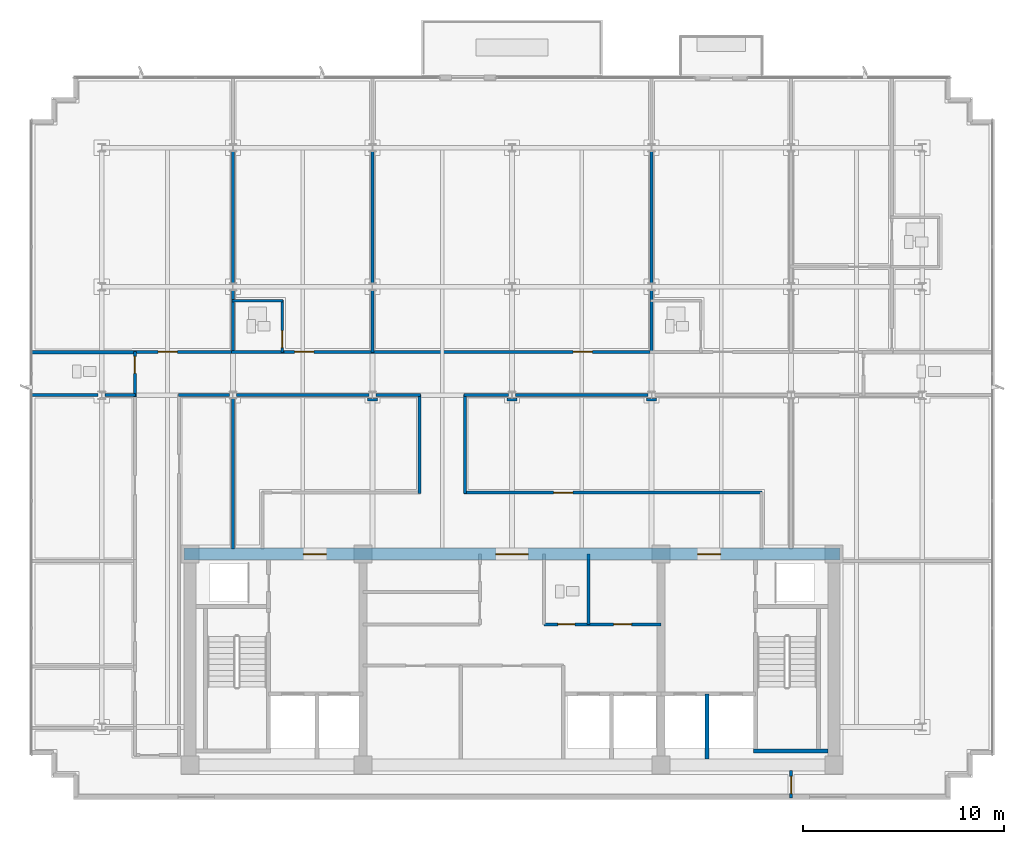
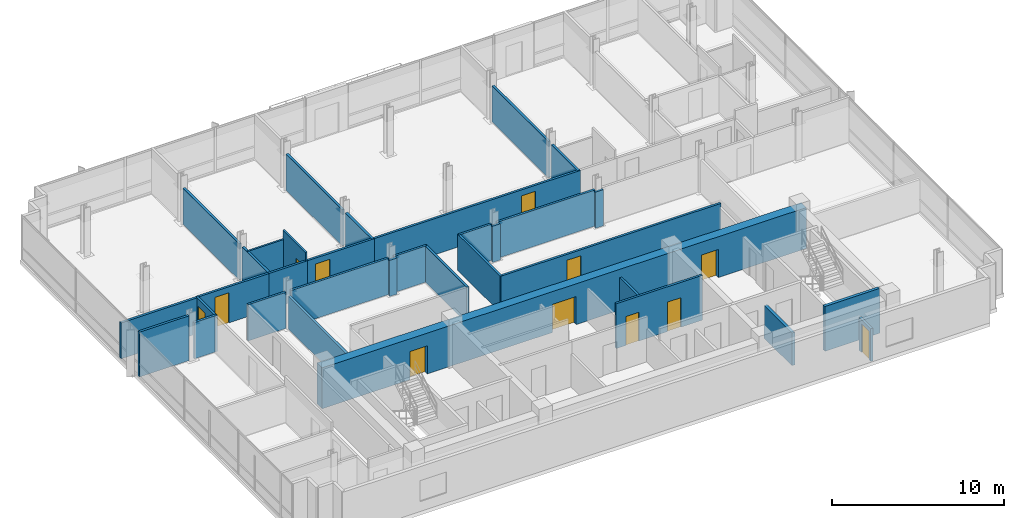
# One storey, part 12 of 19: 34 walls, 12 doors, 12 openings.
"""IFC4 building model written with IfcOpenShell, lengths in metres."""

from ifc_helpers import new_model, si_unit, direction, frame, frame_2d, origin, place, context, subcontext, project, spatial, rectangle, extrude, material, layer, layer_set, type_object, element, fill, save


model = new_model("IFC4")

# Units and contexts
model_context = context("Model", 3, precision=1e-05, world=origin(), true_north=direction((0.0, 1.0)))
body_context = subcontext(model_context, "Body", "Model", "MODEL_VIEW")
ifc_project = project(units=[si_unit("LENGTHUNIT", "METRE"), si_unit("AREAUNIT", "SQUARE_METRE"), si_unit("VOLUMEUNIT", "CUBIC_METRE"), si_unit("PLANEANGLEUNIT", "RADIAN"), si_unit("MASSUNIT", "GRAM", prefix="KILO")], contexts=[model_context])

# Site, building, storey
site_placement = place(None, origin())
site = spatial("IfcSite", under=ifc_project, at=site_placement, CompositionType="ELEMENT")
building_placement = place(site_placement, origin())
building = spatial("IfcBuilding", under=site, at=building_placement, Name="Solmavex Isthmus Hotel", CompositionType="ELEMENT")
storey_placement = place(building_placement, frame((0.0, 0.0, 262.64990234375)))
storey = spatial("IfcBuildingStorey", under=building, at=storey_placement, Name="L71", CompositionType="ELEMENT", Elevation=262.64990234375)

# Walls
ifc_material_1 = material(Name="Gypsum plasterboard lining", Category="gypsum")
ifc_layer_1 = layer(ifc_material_1, 0.159912109375)
ifc_layer_set_1 = layer_set([ifc_layer_1], Name="Gypsum plasterboard lining")
wall_type_1 = type_object("IfcWallType", Name="IW-COMP-160", PredefinedType="PARTITIONING", material=ifc_layer_set_1)
wall_1_placement = place(storey_placement, frame((-13.8720703125, 10.613037109375, 0.0), z_axis=(0.0, 0.0, 1.0), x_axis=(0.0, -1.0, 0.0)))
element("IfcWall", 1, at=wall_1_placement, inside=storey, type_object=wall_type_1, Name="Interior Partition Wall W-L71-P033", PredefinedType="PARTITIONING", context=body_context, shape_type="SweptSolid", body=[
    extrude(rectangle(XDim=3.10302734375, YDim=0.159912109375, at=frame_2d((1.551513671875, 0.0))), origin(), (0.0, 0.0, 1.0), 2.572509765625),
])
wall_2_placement = place(storey_placement, frame((-13.8720703125, 17.52490234375, 0.0), z_axis=(0.0, 0.0, 1.0), x_axis=(0.0, -1.0, 0.0)))
element("IfcWall", 2, at=wall_2_placement, inside=storey, type_object=wall_type_1, Name="Interior Partition Wall W-L71-P034", PredefinedType="PARTITIONING", context=body_context, shape_type="SweptSolid", body=[
    extrude(rectangle(XDim=6.56201171875, YDim=0.159912109375, at=frame_2d((3.281005859375, 0.0))), origin(), (0.0, 0.0, 1.0), 2.572509765625),
])
wall_3_placement = place(storey_placement, frame((-18.7099609375, 7.530029296875, 0.0), z_axis=(0.0, 0.0, 1.0), x_axis=(-1.0, 0.0, 0.0)))
element("IfcWall", 3, at=wall_3_placement, inside=storey, type_object=wall_type_1, Name="Interior Partition Wall W-L71-P036", PredefinedType="PARTITIONING", context=body_context, shape_type="SweptSolid", body=[
    extrude(rectangle(XDim=5.2099609375, YDim=0.159912109375, at=frame_2d((2.60498046875, 0.0))), origin(), (0.0, 0.0, 1.0), 2.5576171875),
])
wall_4_placement = place(storey_placement, frame((-6.93603515625, 10.613037109375, 0.0), z_axis=(0.0, 0.0, 1.0), x_axis=(0.0, -1.0, 0.0)))
element("IfcWall", 4, at=wall_4_placement, inside=storey, type_object=wall_type_1, Name="Interior Partition Wall W-L71-P039", PredefinedType="PARTITIONING", context=body_context, shape_type="SweptSolid", body=[
    extrude(rectangle(XDim=3.10302734375, YDim=0.159912109375, at=frame_2d((1.551513671875, 0.0))), origin(), (0.0, 0.0, 1.0), 2.572509765625),
])
wall_5_placement = place(storey_placement, frame((-6.93603515625, 17.52490234375, 0.0), z_axis=(0.0, 0.0, 1.0), x_axis=(0.0, -1.0, 0.0)))
element("IfcWall", 5, at=wall_5_placement, inside=storey, type_object=wall_type_1, Name="Interior Partition Wall W-L71-P040", PredefinedType="PARTITIONING", context=body_context, shape_type="SweptSolid", body=[
    extrude(rectangle(XDim=6.56201171875, YDim=0.159912109375, at=frame_2d((3.281005859375, 0.0))), origin(), (0.0, 0.0, 1.0), 2.572509765625),
])
wall_6_placement = place(storey_placement, frame((6.93603515625, 10.613037109375, 0.0), z_axis=(0.0, 0.0, 1.0), x_axis=(0.0, -1.0, 0.0)))
element("IfcWall", 6, at=wall_6_placement, inside=storey, type_object=wall_type_1, Name="Interior Partition Wall W-L71-P042", PredefinedType="PARTITIONING", context=body_context, shape_type="SweptSolid", body=[
    extrude(rectangle(XDim=3.10302734375, YDim=0.159912109375, at=frame_2d((1.551513671875, 0.0))), origin(), (0.0, 0.0, 1.0), 2.572509765625),
])
wall_7_placement = place(storey_placement, frame((6.93603515625, 17.52490234375, 0.0), z_axis=(0.0, 0.0, 1.0), x_axis=(0.0, -1.0, 0.0)))
element("IfcWall", 7, at=wall_7_placement, inside=storey, type_object=wall_type_1, Name="Interior Partition Wall W-L71-P043", PredefinedType="PARTITIONING", context=body_context, shape_type="SweptSolid", body=[
    extrude(rectangle(XDim=6.56201171875, YDim=0.159912109375, at=frame_2d((3.281005859375, 0.0))), origin(), (0.0, 0.0, 1.0), 2.572509765625),
])
wall_8_placement = place(storey_placement, frame((-20.574951171875, 5.39990234375, 0.0), z_axis=(0.0, 0.0, 1.0), x_axis=(-1.0, 0.0, 0.0)))
element("IfcWall", 8, at=wall_8_placement, inside=storey, type_object=wall_type_1, Name="Interior Partition Wall W-L71-P059", PredefinedType="PARTITIONING", context=body_context, shape_type="SweptSolid", body=[
    extrude(rectangle(XDim=3.344970703125, YDim=0.159912109375, at=frame_2d((1.67236328125, 0.0))), origin(), (0.0, 0.0, 1.0), 3.190185546875),
])
wall_9_placement = place(storey_placement, frame((-18.7099609375, 5.39990234375, 0.0), z_axis=(0.0, 0.0, 1.0), x_axis=(-1.0, 0.0, 0.0)))
element("IfcWall", 9, at=wall_9_placement, inside=storey, type_object=wall_type_1, Name="Interior Partition Wall W-L71-P060", PredefinedType="PARTITIONING", context=body_context, shape_type="SweptSolid", body=[
    extrude(rectangle(XDim=1.51513671875, YDim=0.159912109375, at=frame_2d((0.757568359375, 0.0))), origin(), (0.0, 0.0, 1.0), 2.572509765625),
])
wall_10_placement = place(storey_placement, frame((-13.8720703125, 5.22509765625, 0.0), z_axis=(0.0, 0.0, 1.0), x_axis=(0.0, -1.0, 0.0)))
element("IfcWall", 10, at=wall_10_placement, inside=storey, type_object=wall_type_1, Name="Interior Partition Wall W-L71-P066", PredefinedType="PARTITIONING", context=body_context, shape_type="SweptSolid", body=[
    extrude(rectangle(XDim=7.465087890625, YDim=0.159912109375, at=frame_2d((3.732421875, 0.0))), origin(), (0.0, 0.0, 1.0), 2.3251953125),
])

# Wall, opening, door
wall_11_placement = place(storey_placement, frame((13.8720703125, -13.260009765625, 0.0), z_axis=(0.0, 0.0, 1.0), x_axis=(0.0, -1.0, 0.0)))
wall_11 = element("IfcWall", 11, at=wall_11_placement, inside=storey, type_object=wall_type_1, Name="Interior Partition Wall W-L71-P068", PredefinedType="PARTITIONING", context=body_context, shape_type="SweptSolid", body=[
    extrude(rectangle(XDim=1.360107421875, YDim=0.159912109375, at=frame_2d((0.68017578125, 0.0))), origin(), (0.0, 0.0, 1.0), 2.3251953125),
])
opening_1_placement = place(wall_11_placement, frame((0.300048828125, 0.0, 0.0)))
opening_1 = element("IfcOpeningElement", 12, at=opening_1_placement, cuts=wall_11, Name="Opening ID-R085", PredefinedType="OPENING", context=body_context, shape_type="SweptSolid", body=[
    extrude(rectangle(XDim=0.85009765625, YDim=2.050048828125, at=frame_2d((0.425048828125, 1.02490234375))), frame((0.0, 0.08984375, 0.0), z_axis=(0.0, -1.0, 0.0), x_axis=(1.0, 0.0, 0.0)), (0.0, 0.0, 1.0), 0.179931640625),
])
ifc_material_2 = material(Name="Steel ASTM A500 Grade C", Category="steel")
door_type_1 = type_object("IfcDoorType", Name="IDR-FD60-0850", OperationType="NOTDEFINED", PredefinedType="DOOR", material=ifc_material_2)
door_1_placement = place(opening_1_placement, frame((0.85009765625, 0.0, 0.0), z_axis=(0.0, 0.0, 1.0), x_axis=(-1.0, 0.0, 0.0)))
door_1 = element("IfcDoor", 13, at=door_1_placement, inside=storey, type_object=door_type_1, Name="Corporate Briefing Office Door L71-21", OperationType="SINGLE_SWING_LEFT", OverallHeight=2.050048828125, OverallWidth=0.85009765625, PredefinedType="DOOR", context=body_context, shape_type="SweptSolid", body=[
    extrude(rectangle(XDim=0.85009765625, YDim=2.050048828125, at=frame_2d((0.425048828125, 1.02490234375))), frame((0.0, 0.02490234375, 0.0), z_axis=(0.0, -1.0, 0.0), x_axis=(1.0, 0.0, 0.0)), (0.0, 0.0, 1.0), 0.050048828125),
])
fill(opening_1, door_1)

# Wall, openings, doors
ifc_layer_2 = layer(ifc_material_1, 0.14990234375)
ifc_layer_set_2 = layer_set([ifc_layer_2], Name="Gypsum plasterboard lining")
wall_type_2 = type_object("IfcWallType", Name="IW-CORR-150", PredefinedType="PARTITIONING", material=ifc_layer_set_2)
wall_12_placement = place(storey_placement, frame((1.60009765625, -6.0, 0.0), z_axis=(0.0, 0.0, 1.0), x_axis=(1.0, 0.0, 0.0)))
wall_12 = element("IfcWall", 14, at=wall_12_placement, inside=storey, type_object=wall_type_2, Name="Interior Partition Wall W-L71-BOH-ES", PredefinedType="PARTITIONING", context=body_context, shape_type="SweptSolid", body=[
    extrude(rectangle(XDim=5.7998046875, YDim=0.14990234375, at=frame_2d((2.89990234375, 0.0))), origin(), (0.0, 0.0, 1.0), 3.190185546875),
])
opening_2_placement = place(wall_12_placement, frame((0.675048828125, 0.0, 0.0)))
opening_2 = element("IfcOpeningElement", 15, at=opening_2_placement, cuts=wall_12, Name="Opening ID-R085", PredefinedType="OPENING", context=body_context, shape_type="SweptSolid", body=[
    extrude(rectangle(XDim=0.85009765625, YDim=2.050048828125, at=frame_2d((0.425048828125, 1.02490234375))), frame((0.0, 0.0849609375, 0.0), z_axis=(0.0, -1.0, 0.0), x_axis=(1.0, 0.0, 0.0)), (0.0, 0.0, 1.0), 0.169921875),
])
opening_3_placement = place(wall_12_placement, frame((3.449951171875, 0.0, 0.0)))
opening_3 = element("IfcOpeningElement", 16, at=opening_3_placement, cuts=wall_12, Name="Opening ID-C090", PredefinedType="OPENING", context=body_context, shape_type="SweptSolid", body=[
    extrude(rectangle(XDim=0.89990234375, YDim=2.10009765625, at=frame_2d((0.449951171875, 1.050048828125))), frame((0.0, 0.0849609375, 0.0), z_axis=(0.0, -1.0, 0.0), x_axis=(1.0, 0.0, 0.0)), (0.0, 0.0, 1.0), 0.169921875),
])
door_2_placement = place(opening_2_placement, frame((0.85009765625, 0.0, 0.0), z_axis=(0.0, 0.0, 1.0), x_axis=(-1.0, 0.0, 0.0)))
door_2 = element("IfcDoor", 17, at=door_2_placement, inside=storey, type_object=door_type_1, Name="Staff WC Door L71", OperationType="SINGLE_SWING_LEFT", OverallHeight=2.050048828125, OverallWidth=0.85009765625, PredefinedType="DOOR", context=body_context, shape_type="SweptSolid", body=[
    extrude(rectangle(XDim=0.85009765625, YDim=2.050048828125, at=frame_2d((0.425048828125, 1.02490234375))), frame((0.0, 0.02490234375, 0.0), z_axis=(0.0, -1.0, 0.0), x_axis=(1.0, 0.0, 0.0)), (0.0, 0.0, 1.0), 0.050048828125),
])
fill(opening_2, door_2)
ifc_material_3 = material(Name="Hardwood timber", Category="wood")
door_type_2 = type_object("IfcDoorType", Name="IDR-FD60-0900", OperationType="NOTDEFINED", PredefinedType="DOOR", material=ifc_material_3)
door_3_placement = place(opening_3_placement, frame((0.89990234375, 0.0, 0.0), z_axis=(0.0, 0.0, 1.0), x_axis=(-1.0, 0.0, 0.0)))
door_3 = element("IfcDoor", 18, at=door_3_placement, inside=storey, type_object=door_type_2, Name="Room Service Door L71", OperationType="SINGLE_SWING_RIGHT", OverallHeight=2.10009765625, OverallWidth=0.89990234375, PredefinedType="DOOR", context=body_context, shape_type="SweptSolid", body=[
    extrude(rectangle(XDim=0.89990234375, YDim=2.10009765625, at=frame_2d((0.449951171875, 1.050048828125))), frame((0.0, 0.02490234375, 0.0), z_axis=(0.0, -1.0, 0.0), x_axis=(1.0, 0.0, 0.0)), (0.0, 0.0, 1.0), 0.050048828125),
])
fill(opening_3, door_3)

# Wall, opening, door
wall_13_placement = place(storey_placement, frame((-18.7900390625, 7.550048828125, 0.0), z_axis=(0.0, 0.0, 1.0), x_axis=(1.0, 0.0, 0.0)))
wall_13 = element("IfcWall", 19, at=wall_13_placement, inside=storey, type_object=wall_type_2, Name="Interior Partition Wall W-L71-P001", PredefinedType="PARTITIONING", context=body_context, shape_type="SweptSolid", body=[
    extrude(rectangle(XDim=5.0, YDim=0.14990234375, at=frame_2d((2.5, 0.0))), origin(), (0.0, 0.0, 1.0), 2.572509765625),
])
opening_4_placement = place(wall_13_placement, frame((1.198486328125, 0.0, 0.0)))
opening_4 = element("IfcOpeningElement", 20, at=opening_4_placement, cuts=wall_13, Name="Opening ID-C095", PredefinedType="OPENING", context=body_context, shape_type="SweptSolid", body=[
    extrude(rectangle(XDim=0.949951171875, YDim=2.14990234375, at=frame_2d((0.47509765625, 1.074951171875))), frame((0.0, 0.0849609375, 0.0), z_axis=(0.0, -1.0, 0.0), x_axis=(1.0, 0.0, 0.0)), (0.0, 0.0, 1.0), 0.169921875),
])
door_type_3 = type_object("IfcDoorType", Name="IDR-FD60-0950", OperationType="NOTDEFINED", PredefinedType="DOOR", material=ifc_material_3)
door_4_placement = place(opening_4_placement, origin())
door_4 = element("IfcDoor", 21, at=door_4_placement, inside=storey, type_object=door_type_3, Name="Executive Hospitality Lounge Door L71-01", OperationType="SINGLE_SWING_LEFT", OverallHeight=2.14990234375, OverallWidth=0.949951171875, PredefinedType="DOOR", context=body_context, shape_type="SweptSolid", body=[
    extrude(rectangle(XDim=0.949951171875, YDim=2.14990234375, at=frame_2d((0.47509765625, 1.074951171875))), frame((0.0, 0.02490234375, 0.0), z_axis=(0.0, -1.0, 0.0), x_axis=(1.0, 0.0, 0.0)), (0.0, 0.0, 1.0), 0.050048828125),
])
fill(opening_4, door_4)

wall_14_placement = place(storey_placement, frame((-11.50390625, 7.550048828125, 0.0), z_axis=(0.0, 0.0, 1.0), x_axis=(1.0, 0.0, 0.0)))
wall_14 = element("IfcWall", 22, at=wall_14_placement, inside=storey, type_object=wall_type_2, Name="Interior Partition Wall W-L71-P002", PredefinedType="PARTITIONING", context=body_context, shape_type="SweptSolid", body=[
    extrude(rectangle(XDim=4.64990234375, YDim=0.14990234375, at=frame_2d((2.324951171875, 0.0))), origin(), (0.0, 0.0, 1.0), 2.572509765625),
])
opening_5_placement = place(wall_14_placement, frame((0.698486328125, 0.0, 0.0)))
opening_5 = element("IfcOpeningElement", 23, at=opening_5_placement, cuts=wall_14, Name="Opening ID-C095", PredefinedType="OPENING", context=body_context, shape_type="SweptSolid", body=[
    extrude(rectangle(XDim=0.949951171875, YDim=2.14990234375, at=frame_2d((0.47509765625, 1.074951171875))), frame((0.0, 0.0849609375, 0.0), z_axis=(0.0, -1.0, 0.0), x_axis=(1.0, 0.0, 0.0)), (0.0, 0.0, 1.0), 0.169921875),
])
door_5_placement = place(opening_5_placement, origin())
door_5 = element("IfcDoor", 24, at=door_5_placement, inside=storey, type_object=door_type_3, Name="Ambassador Suite Door L71-02", OperationType="SINGLE_SWING_RIGHT", OverallHeight=2.14990234375, OverallWidth=0.949951171875, PredefinedType="DOOR", context=body_context, shape_type="SweptSolid", body=[
    extrude(rectangle(XDim=0.949951171875, YDim=2.14990234375, at=frame_2d((0.47509765625, 1.074951171875))), frame((0.0, 0.02490234375, 0.0), z_axis=(0.0, -1.0, 0.0), x_axis=(1.0, 0.0, 0.0)), (0.0, 0.0, 1.0), 0.050048828125),
])
fill(opening_5, door_5)

# Wall
wall_15_placement = place(storey_placement, frame((-13.9541015625, 7.550048828125, 0.0), z_axis=(0.0, 0.0, 1.0), x_axis=(1.0, 0.0, 0.0)))
element("IfcWall", 25, at=wall_15_placement, inside=storey, type_object=wall_type_2, Name="Interior Partition Wall W-L71-P003", PredefinedType="PARTITIONING", context=body_context, shape_type="SweptSolid", body=[
    extrude(rectangle(XDim=2.614013671875, YDim=0.14990234375, at=frame_2d((1.30712890625, 0.0))), origin(), (0.0, 0.0, 1.0), 2.572509765625),
])

# Wall, opening, door
wall_16_placement = place(storey_placement, frame((-7.01806640625, 7.550048828125, 0.0), z_axis=(0.0, 0.0, 1.0), x_axis=(1.0, 0.0, 0.0)))
wall_16 = element("IfcWall", 26, at=wall_16_placement, inside=storey, type_object=wall_type_2, Name="Interior Partition Wall W-L71-P004", PredefinedType="PARTITIONING", context=body_context, shape_type="SweptSolid", body=[
    extrude(rectangle(XDim=14.0361328125, YDim=0.14990234375, at=frame_2d((7.01806640625, 0.0))), origin(), (0.0, 0.0, 1.0), 2.572509765625),
])
opening_6_placement = place(wall_16_placement, frame((10.059814453125, 0.0, 0.0)))
opening_6 = element("IfcOpeningElement", 27, at=opening_6_placement, cuts=wall_16, Name="Opening ID-C095", PredefinedType="OPENING", context=body_context, shape_type="SweptSolid", body=[
    extrude(rectangle(XDim=0.949951171875, YDim=2.14990234375, at=frame_2d((0.47509765625, 1.074951171875))), frame((0.0, 0.0849609375, 0.0), z_axis=(0.0, -1.0, 0.0), x_axis=(1.0, 0.0, 0.0)), (0.0, 0.0, 1.0), 0.169921875),
])
door_6_placement = place(opening_6_placement, origin())
door_6 = element("IfcDoor", 28, at=door_6_placement, inside=storey, type_object=door_type_3, Name="Corporate Briefing Office Door L71-04", OperationType="SINGLE_SWING_RIGHT", OverallHeight=2.14990234375, OverallWidth=0.949951171875, PredefinedType="DOOR", context=body_context, shape_type="SweptSolid", body=[
    extrude(rectangle(XDim=0.949951171875, YDim=2.14990234375, at=frame_2d((0.47509765625, 1.074951171875))), frame((0.0, 0.02490234375, 0.0), z_axis=(0.0, -1.0, 0.0), x_axis=(1.0, 0.0, 0.0)), (0.0, 0.0, 1.0), 0.050048828125),
])
fill(opening_6, door_6)

wall_17_placement = place(storey_placement, frame((-18.75, 5.318115234375, 0.0), z_axis=(0.0, 0.0, 1.0), x_axis=(0.0, 1.0, 0.0)))
wall_17 = element("IfcWall", 29, at=wall_17_placement, inside=storey, type_object=wall_type_2, Name="Interior Partition Wall W-L71-P008", PredefinedType="PARTITIONING", context=body_context, shape_type="SweptSolid", body=[
    extrude(rectangle(XDim=2.251953125, YDim=0.14990234375, at=frame_2d((1.1259765625, 0.0))), origin(), (0.0, 0.0, 1.0), 2.572509765625),
])
opening_7_placement = place(wall_17_placement, frame((1.156982421875, 0.0, 0.0)))
opening_7 = element("IfcOpeningElement", 30, at=opening_7_placement, cuts=wall_17, Name="Opening ID-R085", PredefinedType="OPENING", context=body_context, shape_type="SweptSolid", body=[
    extrude(rectangle(XDim=0.85009765625, YDim=2.050048828125, at=frame_2d((0.425048828125, 1.02490234375))), frame((0.0, 0.0849609375, 0.0), z_axis=(0.0, -1.0, 0.0), x_axis=(1.0, 0.0, 0.0)), (0.0, 0.0, 1.0), 0.169921875),
])
door_7_placement = place(opening_7_placement, frame((0.85009765625, 0.0, 0.0), z_axis=(0.0, 0.0, 1.0), x_axis=(-1.0, 0.0, 0.0)))
door_7 = element("IfcDoor", 31, at=door_7_placement, inside=storey, type_object=door_type_1, Name="Accessible Public Restroom WC Door L71-11", OperationType="SINGLE_SWING_LEFT", OverallHeight=2.050048828125, OverallWidth=0.85009765625, PredefinedType="DOOR", context=body_context, shape_type="SweptSolid", body=[
    extrude(rectangle(XDim=0.85009765625, YDim=2.050048828125, at=frame_2d((0.425048828125, 1.02490234375))), frame((0.0, 0.02490234375, 0.0), z_axis=(0.0, -1.0, 0.0), x_axis=(1.0, 0.0, 0.0)), (0.0, 0.0, 1.0), 0.050048828125),
])
fill(opening_7, door_7)

# Walls
wall_18_placement = place(storey_placement, frame((-14.047119140625, 5.39990234375, 0.0), z_axis=(0.0, 0.0, 1.0), x_axis=(-1.0, 0.0, 0.0)))
element("IfcWall", 32, at=wall_18_placement, inside=storey, type_object=wall_type_2, Name="Interior Partition Wall W-L71-P011", PredefinedType="PARTITIONING", context=body_context, shape_type="SweptSolid", body=[
    extrude(rectangle(XDim=2.54296875, YDim=0.14990234375, at=frame_2d((1.271484375, 0.0))), origin(), (0.0, 0.0, 1.0), 2.572509765625),
])
wall_19_placement = place(storey_placement, frame((-4.587890625, 0.510009765625, 0.0), z_axis=(0.0, 0.0, 1.0), x_axis=(0.0, 1.0, 0.0)))
element("IfcWall", 33, at=wall_19_placement, inside=storey, type_object=wall_type_2, Name="Interior Partition Wall W-L71-P017", PredefinedType="PARTITIONING", context=body_context, shape_type="SweptSolid", body=[
    extrude(rectangle(XDim=4.929931640625, YDim=0.14990234375, at=frame_2d((2.46484375, 0.0))), origin(), (0.0, 0.0, 1.0), 2.572509765625),
])
wall_20_placement = place(storey_placement, frame((-4.548095703125, 5.39990234375, 0.0), z_axis=(0.0, 0.0, 1.0), x_axis=(-1.0, 0.0, 0.0)))
element("IfcWall", 34, at=wall_20_placement, inside=storey, type_object=wall_type_2, Name="Interior Partition Wall W-L71-P018", PredefinedType="PARTITIONING", context=body_context, shape_type="SweptSolid", body=[
    extrude(rectangle(XDim=2.212890625, YDim=0.14990234375, at=frame_2d((1.1064453125, 0.0))), origin(), (0.0, 0.0, 1.0), 2.572509765625),
])
wall_21_placement = place(storey_placement, frame((-6.680908203125, 5.18505859375, 0.0), z_axis=(0.0, 0.0, 1.0), x_axis=(-1.0, 0.0, 0.0)))
element("IfcWall", 35, at=wall_21_placement, inside=storey, type_object=wall_type_2, Name="Interior Partition Wall W-L71-P019", PredefinedType="PARTITIONING", context=body_context, shape_type="SweptSolid", body=[
    extrude(rectangle(XDim=0.510009765625, YDim=0.14990234375, at=frame_2d((0.2548828125, 0.0))), origin(), (0.0, 0.0, 1.0), 2.572509765625),
])
wall_22_placement = place(storey_placement, frame((-7.111083984375, 5.39990234375, 0.0), z_axis=(0.0, 0.0, 1.0), x_axis=(-1.0, 0.0, 0.0)))
element("IfcWall", 36, at=wall_22_placement, inside=storey, type_object=wall_type_2, Name="Interior Partition Wall W-L71-P020", PredefinedType="PARTITIONING", context=body_context, shape_type="SweptSolid", body=[
    extrude(rectangle(XDim=6.5859375, YDim=0.14990234375, at=frame_2d((3.29296875, 0.0))), origin(), (0.0, 0.0, 1.0), 2.572509765625),
])
wall_23_placement = place(storey_placement, frame((7.19091796875, 5.18505859375, 0.0), z_axis=(0.0, 0.0, 1.0), x_axis=(-1.0, 0.0, 0.0)))
element("IfcWall", 37, at=wall_23_placement, inside=storey, type_object=wall_type_2, Name="Interior Partition Wall W-L71-P026", PredefinedType="PARTITIONING", context=body_context, shape_type="SweptSolid", body=[
    extrude(rectangle(XDim=0.510009765625, YDim=0.14990234375, at=frame_2d((0.2548828125, 0.0))), origin(), (0.0, 0.0, 1.0), 2.572509765625),
])
wall_24_placement = place(storey_placement, frame((6.760986328125, 5.39990234375, 0.0), z_axis=(0.0, 0.0, 1.0), x_axis=(-1.0, 0.0, 0.0)))
element("IfcWall", 38, at=wall_24_placement, inside=storey, type_object=wall_type_2, Name="Interior Partition Wall W-L71-P027", PredefinedType="PARTITIONING", context=body_context, shape_type="SweptSolid", body=[
    extrude(rectangle(XDim=6.5859375, YDim=0.14990234375, at=frame_2d((3.29296875, 0.0))), origin(), (0.0, 0.0, 1.0), 2.572509765625),
])
wall_25_placement = place(storey_placement, frame((0.2548828125, 5.18505859375, 0.0), z_axis=(0.0, 0.0, 1.0), x_axis=(-1.0, 0.0, 0.0)))
element("IfcWall", 39, at=wall_25_placement, inside=storey, type_object=wall_type_2, Name="Interior Partition Wall W-L71-P028", PredefinedType="PARTITIONING", context=body_context, shape_type="SweptSolid", body=[
    extrude(rectangle(XDim=0.509765625, YDim=0.14990234375, at=frame_2d((0.2548828125, 0.0))), origin(), (0.0, 0.0, 1.0), 2.572509765625),
])
wall_26_placement = place(storey_placement, frame((-0.175048828125, 5.39990234375, 0.0), z_axis=(0.0, 0.0, 1.0), x_axis=(-1.0, 0.0, 0.0)))
element("IfcWall", 40, at=wall_26_placement, inside=storey, type_object=wall_type_2, Name="Interior Partition Wall W-L71-P029", PredefinedType="PARTITIONING", context=body_context, shape_type="SweptSolid", body=[
    extrude(rectangle(XDim=2.212890625, YDim=0.14990234375, at=frame_2d((1.1064453125, 0.0))), origin(), (0.0, 0.0, 1.0), 2.572509765625),
])
wall_27_placement = place(storey_placement, frame((-2.347900390625, 5.43994140625, 0.0), z_axis=(0.0, 0.0, 1.0), x_axis=(0.0, -1.0, 0.0)))
element("IfcWall", 41, at=wall_27_placement, inside=storey, type_object=wall_type_2, Name="Interior Partition Wall W-L71-P030", PredefinedType="PARTITIONING", context=body_context, shape_type="SweptSolid", body=[
    extrude(rectangle(XDim=4.929931640625, YDim=0.14990234375, at=frame_2d((2.46484375, 0.0))), origin(), (0.0, 0.0, 1.0), 2.572509765625),
])

# Wall, opening, door
wall_28_placement = place(storey_placement, frame((-2.387939453125, 0.550048828125, 0.0), z_axis=(0.0, 0.0, 1.0), x_axis=(1.0, 0.0, 0.0)))
wall_28 = element("IfcWall", 42, at=wall_28_placement, inside=storey, type_object=wall_type_2, Name="Interior Partition Wall W-L71-P031", PredefinedType="PARTITIONING", context=body_context, shape_type="SweptSolid", body=[
    extrude(rectangle(XDim=14.827880859375, YDim=0.14990234375, at=frame_2d((7.4140625, 0.0))), origin(), (0.0, 0.0, 1.0), 2.572509765625),
])
opening_8_placement = place(wall_28_placement, frame((4.461181640625, 0.0, 0.0)))
opening_8 = element("IfcOpeningElement", 43, at=opening_8_placement, cuts=wall_28, Name="Opening ID-C095", PredefinedType="OPENING", context=body_context, shape_type="SweptSolid", body=[
    extrude(rectangle(XDim=0.949951171875, YDim=2.14990234375, at=frame_2d((0.47509765625, 1.074951171875))), frame((0.0, 0.0849609375, 0.0), z_axis=(0.0, -1.0, 0.0), x_axis=(1.0, 0.0, 0.0)), (0.0, 0.0, 1.0), 0.169921875),
])
door_8_placement = place(opening_8_placement, frame((0.949951171875, 0.0, 0.0), z_axis=(0.0, 0.0, 1.0), x_axis=(-1.0, 0.0, 0.0)))
door_8 = element("IfcDoor", 44, at=door_8_placement, inside=storey, type_object=door_type_3, Name="Executive Meeting Room Door L71-20", OperationType="SINGLE_SWING_RIGHT", OverallHeight=2.14990234375, OverallWidth=0.949951171875, PredefinedType="DOOR", context=body_context, shape_type="SweptSolid", body=[
    extrude(rectangle(XDim=0.949951171875, YDim=2.14990234375, at=frame_2d((0.47509765625, 1.074951171875))), frame((0.0, 0.02490234375, 0.0), z_axis=(0.0, -1.0, 0.0), x_axis=(1.0, 0.0, 0.0)), (0.0, 0.0, 1.0), 0.050048828125),
])
fill(opening_8, door_8)

# Wall
ifc_layer_3 = layer(ifc_material_1, 0.1201171875)
ifc_layer_set_3 = layer_set([ifc_layer_3], Name="Gypsum plasterboard lining")
wall_type_3 = type_object("IfcWallType", Name="IW-PART-120", PredefinedType="PARTITIONING", material=ifc_layer_set_3)
wall_29_placement = place(storey_placement, frame((3.800048828125, -6.0, 0.0), z_axis=(0.0, 0.0, 1.0), x_axis=(0.0, 1.0, 0.0)))
element("IfcWall", 45, at=wall_29_placement, inside=storey, type_object=wall_type_3, Name="Interior Partition Wall W-L71-BOH-EM3", PredefinedType="PARTITIONING", context=body_context, shape_type="SweptSolid", body=[
    extrude(rectangle(XDim=3.5, YDim=0.14990234375, at=frame_2d((1.75, 0.0))), origin(), (0.0, 0.0, 1.0), 2.3251953125),
])

# Wall, opening, door
wall_30_placement = place(storey_placement, frame((-11.422119140625, 7.510009765625, 0.0), z_axis=(0.0, 0.0, 1.0), x_axis=(0.0, 1.0, 0.0)))
wall_30 = element("IfcWall", 46, at=wall_30_placement, inside=storey, type_object=wall_type_3, Name="Interior Partition Wall W-L71-P037", PredefinedType="PARTITIONING", context=body_context, shape_type="SweptSolid", body=[
    extrude(rectangle(XDim=2.6298828125, YDim=0.1201171875, at=frame_2d((1.31494140625, 0.0))), origin(), (0.0, 0.0, 1.0), 3.190185546875),
])
opening_9_placement = place(wall_30_placement, frame((0.247314453125, 0.0, 0.0)))
opening_9 = element("IfcOpeningElement", 47, at=opening_9_placement, cuts=wall_30, Name="Opening ID-U085", PredefinedType="OPENING", context=body_context, shape_type="SweptSolid", body=[
    extrude(rectangle(XDim=0.85009765625, YDim=2.10009765625, at=frame_2d((0.425048828125, 1.050048828125))), frame((0.0, 0.070068359375, 0.0), z_axis=(0.0, -1.0, 0.0), x_axis=(1.0, 0.0, 0.0)), (0.0, 0.0, 1.0), 0.14013671875),
])
door_type_4 = type_object("IfcDoorType", Name="IDR-UNR-0850", OperationType="NOTDEFINED", PredefinedType="DOOR", material=ifc_material_3)
door_9_placement = place(opening_9_placement, frame((0.85009765625, 0.0, 0.0), z_axis=(0.0, 0.0, 1.0), x_axis=(-1.0, 0.0, 0.0)))
door_9 = element("IfcDoor", 48, at=door_9_placement, inside=storey, type_object=door_type_4, Name="En-suite Bathroom Door L71-03", OperationType="SINGLE_SWING_LEFT", OverallHeight=2.10009765625, OverallWidth=0.85009765625, PredefinedType="DOOR", context=body_context, shape_type="SweptSolid", body=[
    extrude(rectangle(XDim=0.85009765625, YDim=2.10009765625, at=frame_2d((0.425048828125, 1.050048828125))), frame((0.0, 0.02490234375, 0.0), z_axis=(0.0, -1.0, 0.0), x_axis=(1.0, 0.0, 0.0)), (0.0, 0.0, 1.0), 0.050048828125),
])
fill(opening_9, door_9)

# Walls
wall_31_placement = place(storey_placement, frame((-11.382080078125, 10.10009765625, 0.0), z_axis=(0.0, 0.0, 1.0), x_axis=(-1.0, 0.0, 0.0)))
element("IfcWall", 49, at=wall_31_placement, inside=storey, type_object=wall_type_3, Name="Interior Partition Wall W-L71-P038", PredefinedType="PARTITIONING", context=body_context, shape_type="SweptSolid", body=[
    extrude(rectangle(XDim=2.530029296875, YDim=0.1201171875, at=frame_2d((1.26513671875, 0.0))), origin(), (0.0, 0.0, 1.0), 2.572509765625),
])
ifc_material_4 = material(Name="Concrete C40/50", Category="concrete")
ifc_layer_4 = layer(ifc_material_4, 0.199951171875)
ifc_layer_set_4 = layer_set([ifc_layer_4], Name="Concrete C40/50")
wall_type_4 = type_object("IfcWallType", Name="IW-SHAFT-200", PredefinedType="PARTITIONING", material=ifc_layer_set_4)
wall_32_placement = place(storey_placement, frame((9.699951171875, -12.699951171875, 0.0), z_axis=(0.0, 0.0, 1.0), x_axis=(0.0, 1.0, 0.0)))
element("IfcWall", 50, at=wall_32_placement, inside=storey, type_object=wall_type_4, Name="Interior Partition Wall W-L71-FFLE-M", PredefinedType="PARTITIONING", context=body_context, shape_type="SweptSolid", body=[
    extrude(rectangle(XDim=3.25, YDim=0.199951171875, at=frame_2d((1.625, 0.0))), origin(), (0.0, 0.0, 1.0), 2.3251953125),
])

# Wall, openings, doors
ifc_material_5 = material(Name="Concrete C50/60", Category="concrete")
ifc_layer_5 = layer(ifc_material_5, 0.60009765625)
ifc_layer_set_5 = layer_set([ifc_layer_5], Name="Concrete C50/60")
wall_type_5 = type_object("IfcWallType", Name="WALL-CW-600", PredefinedType="SHEAR", material=ifc_layer_set_5)
wall_33_placement = place(storey_placement, frame((-16.300048828125, -2.5, 0.0), z_axis=(0.0, 0.0, 1.0), x_axis=(1.0, 0.0, 0.0)))
wall_33 = element("IfcWall", 51, at=wall_33_placement, inside=storey, type_object=wall_type_5, Name="Core Shear Wall North L71", PredefinedType="SHEAR", context=body_context, shape_type="SweptSolid", body=[
    extrude(rectangle(XDim=32.60009765625, YDim=0.60009765625, at=frame_2d((16.300048828125, 0.0))), origin(), (0.0, 0.0, 1.0), 2.91015625),
])
opening_10_placement = place(wall_33_placement, frame((5.925048828125, 0.0, 0.0)))
opening_10 = element("IfcOpeningElement", 52, at=opening_10_placement, cuts=wall_33, Name="Opening ID-F915", PredefinedType="OPENING", context=body_context, shape_type="SweptSolid", body=[
    extrude(rectangle(XDim=1.14990234375, YDim=2.0, at=frame_2d((0.574951171875, 1.0))), frame((0.0, 0.31005859375, 0.0), z_axis=(0.0, -1.0, 0.0), x_axis=(1.0, 0.0, 0.0)), (0.0, 0.0, 1.0), 0.6201171875),
])
opening_11_placement = place(wall_33_placement, frame((15.5, 0.0, 0.0)))
opening_11 = element("IfcOpeningElement", 53, at=opening_11_placement, cuts=wall_33, Name="Opening ID-F960", PredefinedType="OPENING", context=body_context, shape_type="SweptSolid", body=[
    extrude(rectangle(XDim=1.60009765625, YDim=2.0, at=frame_2d((0.800048828125, 1.0))), frame((0.0, 0.31005859375, 0.0), z_axis=(0.0, -1.0, 0.0), x_axis=(1.0, 0.0, 0.0)), (0.0, 0.0, 1.0), 0.6201171875),
])
opening_12_placement = place(wall_33_placement, frame((25.52490234375, 0.0, 0.0)))
opening_12 = element("IfcOpeningElement", 54, at=opening_12_placement, cuts=wall_33, Name="Opening ID-F915", PredefinedType="OPENING", context=body_context, shape_type="SweptSolid", body=[
    extrude(rectangle(XDim=1.14990234375, YDim=2.0, at=frame_2d((0.574951171875, 1.0))), frame((0.0, 0.31005859375, 0.0), z_axis=(0.0, -1.0, 0.0), x_axis=(1.0, 0.0, 0.0)), (0.0, 0.0, 1.0), 0.6201171875),
])
door_type_5 = type_object("IfcDoorType", Name="IDR-FD90-1150C", OperationType="NOTDEFINED", PredefinedType="DOOR", material=ifc_material_2)
door_10_placement = place(opening_10_placement, origin())
door_10 = element("IfcDoor", 55, at=door_10_placement, inside=storey, type_object=door_type_5, Name="Firefighting Lobby West Exit Door L71", OperationType="SINGLE_SWING_LEFT", OverallHeight=2.0, OverallWidth=1.14990234375, PredefinedType="DOOR", context=body_context, shape_type="SweptSolid", body=[
    extrude(rectangle(XDim=1.14990234375, YDim=2.0, at=frame_2d((0.574951171875, 1.0))), frame((0.0, 0.02490234375, 0.0), z_axis=(0.0, -1.0, 0.0), x_axis=(1.0, 0.0, 0.0)), (0.0, 0.0, 1.0), 0.050048828125),
])
fill(opening_10, door_10)
door_11_placement = place(opening_12_placement, origin())
door_11 = element("IfcDoor", 56, at=door_11_placement, inside=storey, type_object=door_type_5, Name="Firefighting Lobby East Exit Door L71", OperationType="SINGLE_SWING_RIGHT", OverallHeight=2.0, OverallWidth=1.14990234375, PredefinedType="DOOR", context=body_context, shape_type="SweptSolid", body=[
    extrude(rectangle(XDim=1.14990234375, YDim=2.0, at=frame_2d((0.574951171875, 1.0))), frame((0.0, 0.02490234375, 0.0), z_axis=(0.0, -1.0, 0.0), x_axis=(1.0, 0.0, 0.0)), (0.0, 0.0, 1.0), 0.050048828125),
])
fill(opening_12, door_11)
door_type_6 = type_object("IfcDoorType", Name="IDR-FD90-1600C", OperationType="NOTDEFINED", PredefinedType="DOOR", material=ifc_material_2)
door_12_placement = place(opening_11_placement, origin())
door_12 = element("IfcDoor", 57, at=door_12_placement, inside=storey, type_object=door_type_6, Name="Central Lift Lobby Door L71", OperationType="DOUBLE_DOOR_SINGLE_SWING", OverallHeight=2.0, OverallWidth=1.60009765625, PredefinedType="DOOR", context=body_context, shape_type="SweptSolid", body=[
    extrude(rectangle(XDim=1.60009765625, YDim=2.0, at=frame_2d((0.800048828125, 1.0))), frame((0.0, 0.02490234375, 0.0), z_axis=(0.0, -1.0, 0.0), x_axis=(1.0, 0.0, 0.0)), (0.0, 0.0, 1.0), 0.050048828125),
])
fill(opening_11, door_12)

# Wall
ifc_layer_6 = layer(ifc_material_4, 0.199951171875)
ifc_layer_set_6 = layer_set([ifc_layer_6], Name="Concrete C40/50")
wall_type_6 = type_object("IfcWallType", Name="WALL-SW-200", PredefinedType="SOLIDWALL", material=ifc_layer_set_6)
wall_34_placement = place(storey_placement, frame((12.0, -12.300048828125, 0.0), z_axis=(0.0, 0.0, 1.0), x_axis=(1.0, 0.0, 0.0)))
element("IfcWall", 58, at=wall_34_placement, inside=storey, type_object=wall_type_6, Name="Stairwell Structural Wall SW-L71-ST2-S", PredefinedType="SOLIDWALL", context=body_context, shape_type="SweptSolid", body=[
    extrude(rectangle(XDim=3.699951171875, YDim=0.199951171875, at=frame_2d((1.85009765625, 0.0))), origin(), (0.0, 0.0, 1.0), 3.190185546875),
])

save(model, "model.ifc")
